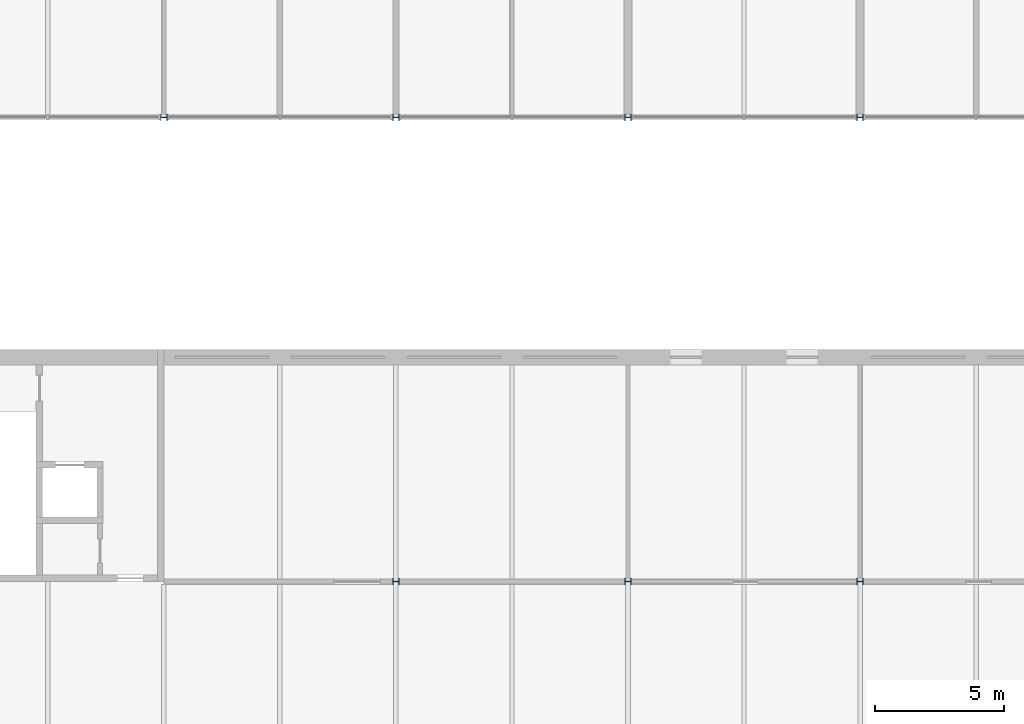
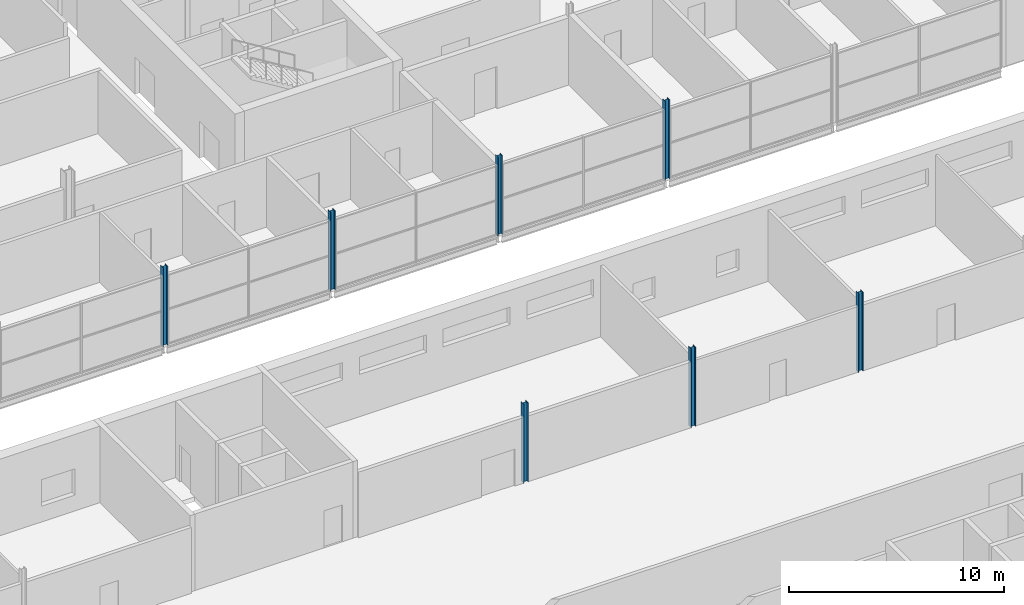
# One storey, part 13 of 138: 7 columns.
"""IFC4 building model written with IfcOpenShell, lengths in metres."""

from ifc_helpers import new_model, si_unit, direction, frame, origin, origin_2d, place, context, subcontext, project, spatial, i_section, extrude, material, material_profile, profile_set, type_object, element, save


model = new_model("IFC4")

# Units and contexts
model_context = context("Model", 3, precision=1e-05, world=origin(), true_north=direction((0.0, 1.0)))
body_context = subcontext(model_context, "Body", "Model", "MODEL_VIEW")
ifc_project = project(units=[si_unit("LENGTHUNIT", "METRE"), si_unit("AREAUNIT", "SQUARE_METRE"), si_unit("VOLUMEUNIT", "CUBIC_METRE"), si_unit("PLANEANGLEUNIT", "RADIAN"), si_unit("MASSUNIT", "GRAM", prefix="KILO")], contexts=[model_context])

# Site, building, storey
site_placement = place(None, origin())
site = spatial("IfcSite", under=ifc_project, at=site_placement, CompositionType="ELEMENT")
building_placement = place(site_placement, origin())
building = spatial("IfcBuilding", under=site, at=building_placement, Name="Corbel Yard City Hall", CompositionType="ELEMENT")
storey_placement = place(building_placement, frame((0.0, 0.0, 10.5)))
storey = spatial("IfcBuildingStorey", under=building, at=storey_placement, Name="L02", CompositionType="ELEMENT", Elevation=10.5)

# Columns
ifc_material = material(Name="Steel Grade 300 (300 MPa yield)", Category="steel")
ifc_material_profile_1 = material_profile(ifc_material, i_section(OverallWidth=0.25390625, OverallDepth=0.25390625, WebThickness=0.008544921875, FlangeThickness=0.01416015625, at=origin_2d()), Name="250UC72.9")
ifc_profile_set_1 = profile_set([ifc_material_profile_1], Name="Steel Grade 300 (300 MPa yield)")
column_type_1 = type_object("IfcColumnType", Name="Column 250UC72.9", PredefinedType="COLUMN", material=ifc_profile_set_1)
for number, where, z_axis, x_axis, name in (
    (1, (36.0, 90.0, 0.0), (0.0, 0.0, 1.0), (0.0, 1.0, 0.0), "Column 250UC72.9 K/5 L02"),
    (2, (45.0, 90.0, 0.0), (0.0, 0.0, 1.0), (0.0, 1.0, 0.0), "Column 250UC72.9 K/6 L02"),
    (3, (54.0, 90.0, 0.0), (0.0, 0.0, 1.0), (0.0, 1.0, 0.0), "Column 250UC72.9 K/7 L02"),
    (4, (63.0, 90.0, 0.0), (0.0, 0.0, 1.0), (0.0, 1.0, 0.0), "Column 250UC72.9 K/8 L02"),
):
    element("IfcColumn", number, at=place(storey_placement, frame(where, z_axis=z_axis, x_axis=x_axis)), inside=storey, type_object=column_type_1, Name=name, PredefinedType="COLUMN", context=body_context, shape_type="SweptSolid", body=[
        extrude(i_section(OverallWidth=0.25390625, OverallDepth=0.25390625, WebThickness=0.008544921875, FlangeThickness=0.01416015625, at=origin_2d()), origin(), (0.0, 0.0, 1.0), 4.5),
    ])
ifc_material_profile_2 = material_profile(ifc_material, i_section(OverallWidth=0.256103515625, OverallDepth=0.260009765625, WebThickness=0.010498046875, FlangeThickness=0.017333984375, at=origin_2d()), Name="250UC89.5")
ifc_profile_set_2 = profile_set([ifc_material_profile_2], Name="Steel Grade 300 (300 MPa yield)")
column_type_2 = type_object("IfcColumnType", Name="Column 250UC89.5", PredefinedType="COLUMN", material=ifc_profile_set_2)
for number, where, z_axis, x_axis, name in (
    (5, (45.0, 72.0, 0.0), (0.0, 0.0, 1.0), (0.0, 1.0, 0.0), "Column 250UC89.5 I/6 L02"),
    (6, (54.0, 72.0, 0.0), (0.0, 0.0, 1.0), (0.0, 1.0, 0.0), "Column 250UC89.5 I/7 L02"),
    (7, (63.0, 72.0, 0.0), (0.0, 0.0, 1.0), (0.0, 1.0, 0.0), "Column 250UC89.5 I/8 L02"),
):
    element("IfcColumn", number, at=place(storey_placement, frame(where, z_axis=z_axis, x_axis=x_axis)), inside=storey, type_object=column_type_2, Name=name, PredefinedType="COLUMN", context=body_context, shape_type="SweptSolid", body=[
        extrude(i_section(OverallWidth=0.256103515625, OverallDepth=0.260009765625, WebThickness=0.010498046875, FlangeThickness=0.017333984375, at=origin_2d()), origin(), (0.0, 0.0, 1.0), 4.5),
    ])

save(model, "model.ifc")
